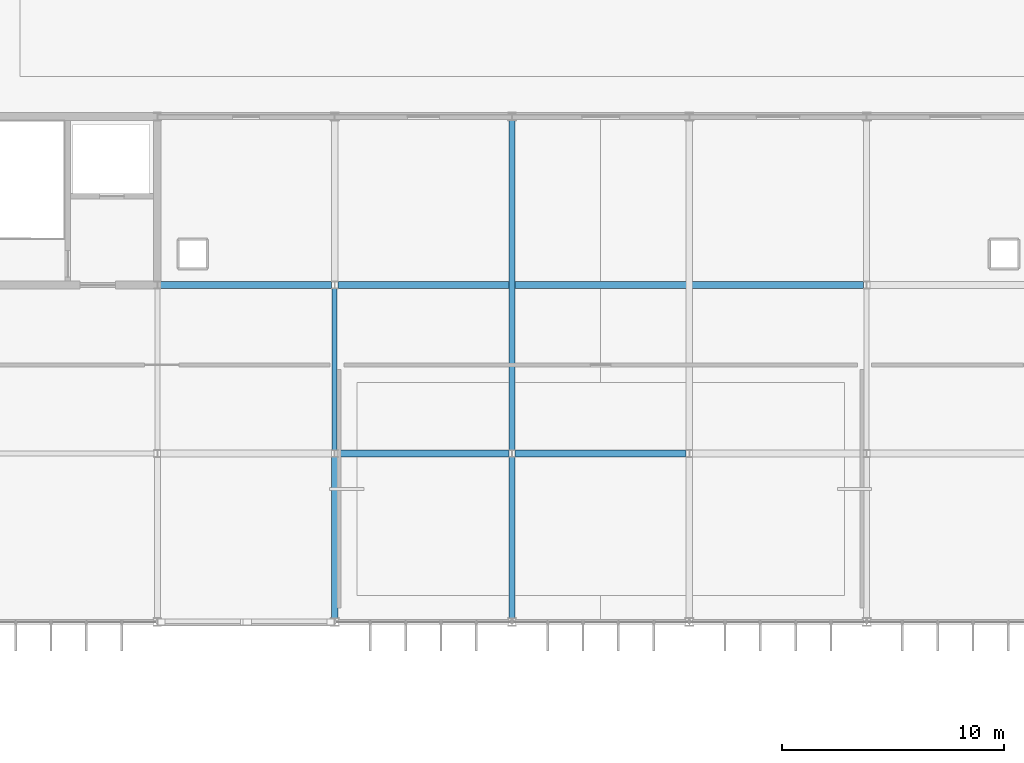
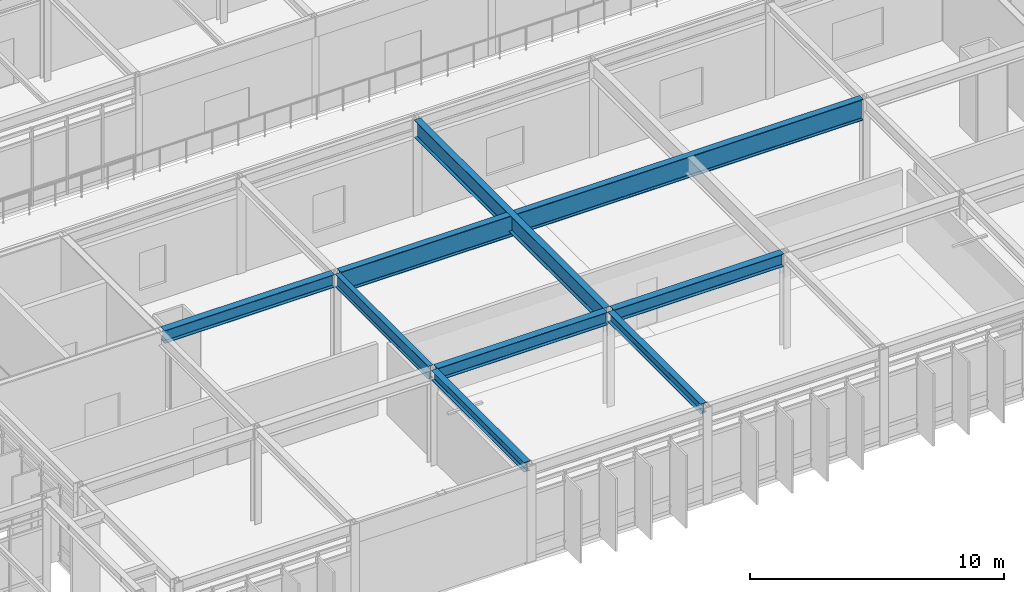
# One storey, part 41 of 100: 8 beams.
"""IFC4 building model written with IfcOpenShell, lengths in metres."""

from ifc_helpers import new_model, si_unit, direction, frame, origin, origin_2d, place, context, subcontext, project, spatial, i_section, extrude, material, material_profile, profile_set, type_object, element, save


model = new_model("IFC4")

# Units and contexts
model_context = context("Model", 3, precision=1e-05, world=origin(), true_north=direction((0.0, 1.0)))
body_context = subcontext(model_context, "Body", "Model", "MODEL_VIEW")
ifc_project = project(units=[si_unit("LENGTHUNIT", "METRE"), si_unit("AREAUNIT", "SQUARE_METRE"), si_unit("VOLUMEUNIT", "CUBIC_METRE"), si_unit("PLANEANGLEUNIT", "RADIAN"), si_unit("MASSUNIT", "GRAM", prefix="KILO")], contexts=[model_context])

# Site, building, storey
site_placement = place(None, origin())
site = spatial("IfcSite", under=ifc_project, at=site_placement, CompositionType="ELEMENT")
building_placement = place(site_placement, origin())
building = spatial("IfcBuilding", under=site, at=building_placement, Name="Zulena Civic Courthouse", CompositionType="ELEMENT")
storey_placement = place(building_placement, frame((0.0, 0.0, 20.39990234375)))
storey = spatial("IfcBuildingStorey", under=building, at=storey_placement, Name="L04", CompositionType="ELEMENT", Elevation=20.39990234375)

# Beams
ifc_material = material(Name="Steel ASTM A992 Grade 50", Category="steel")
ifc_material_profile_1 = material_profile(ifc_material, i_section(OverallWidth=0.324951171875, OverallDepth=0.615966796875, WebThickness=0.013916015625, FlangeThickness=0.021484375, FilletRadius=0.0126953125, at=origin_2d()), Name="W24X117")
ifc_profile_set_1 = profile_set([ifc_material_profile_1], Name="Steel ASTM A992 Grade 50")
beam_type_1 = type_object("IfcBeamType", Name="Girder_W24X117", PredefinedType="BEAM", material=ifc_profile_set_1)
for number, where, z_axis, x_axis, name in (
    (1, (84.14501953125, 22.800048828125, 4.287109375), (1.0, 0.0, 0.0), (0.0, 1.0, 0.0), "beam:X:V4:L04:22.8:84.0_92.0"),
    (2, (92.14501953125, 22.800048828125, 4.287109375), (1.0, 0.0, 0.0), (0.0, 1.0, 0.0), "beam:X:V4:L04:22.8:92.0_100.0"),
    (3, (76.14501953125, 30.39990234375, 4.287109375), (1.0, 0.0, 0.0), (0.0, 1.0, 0.0), "beam:X:V4:L04:30.4:76.0_84.0"),
):
    element("IfcBeam", number, at=place(storey_placement, frame(where, z_axis=z_axis, x_axis=x_axis)), inside=storey, type_object=beam_type_1, Name=name, PredefinedType="BEAM", context=body_context, shape_type="SweptSolid", body=[
        extrude(i_section(OverallWidth=0.324951171875, OverallDepth=0.615966796875, WebThickness=0.013916015625, FlangeThickness=0.021484375, FilletRadius=0.0126953125, at=origin_2d()), origin(), (0.0, 0.0, 1.0), 7.7099609375),
    ])
ifc_material_profile_2 = material_profile(ifc_material, i_section(OverallWidth=0.22998046875, OverallDepth=0.616943359375, WebThickness=0.01318359375, FlangeThickness=0.022216796875, FilletRadius=0.0126953125, at=origin_2d()), Name="W24X94")
ifc_profile_set_2 = profile_set([ifc_material_profile_2], Name="Steel ASTM A992 Grade 50")
beam_type_2 = type_object("IfcBeamType", Name="Girder_W24X94", PredefinedType="BEAM", material=ifc_profile_set_2)
beam_1_placement = place(storey_placement, frame((84.0, 22.945068359375, 4.28662109375), z_axis=(0.0, 1.0, 0.0), x_axis=(-1.0, 0.0, 0.0)))
element("IfcBeam", 4, at=beam_1_placement, inside=storey, type_object=beam_type_2, Name="beam:Y:V4:L04:84.0:22.8_30.4", PredefinedType="BEAM", context=body_context, shape_type="SweptSolid", body=[
    extrude(i_section(OverallWidth=0.22998046875, OverallDepth=0.616943359375, WebThickness=0.01318359375, FlangeThickness=0.022216796875, FilletRadius=0.0126953125, at=origin_2d()), origin(), (0.0, 0.0, 1.0), 7.309814453125),
])
ifc_material_profile_3 = material_profile(ifc_material, i_section(OverallWidth=0.2919921875, OverallDepth=0.841064453125, WebThickness=0.0146484375, FlangeThickness=0.021728515625, FilletRadius=0.017822265625, at=origin_2d()), Name="W33X130")
ifc_profile_set_3 = profile_set([ifc_material_profile_3], Name="Steel ASTM A992 Grade 50")
beam_type_3 = type_object("IfcBeamType", Name="Girder_W33X130", PredefinedType="BEAM", material=ifc_profile_set_3)
beam_2_placement = place(storey_placement, frame((92.0, 22.945068359375, 4.174560546875), z_axis=(0.0, 1.0, 0.0), x_axis=(-1.0, 0.0, 0.0)))
element("IfcBeam", 5, at=beam_2_placement, inside=storey, type_object=beam_type_3, Name="beam:Y:V4:L04:92.0:22.8_38.0", PredefinedType="BEAM", context=body_context, shape_type="SweptSolid", body=[
    extrude(i_section(OverallWidth=0.2919921875, OverallDepth=0.841064453125, WebThickness=0.0146484375, FlangeThickness=0.021728515625, FilletRadius=0.017822265625, at=origin_2d()), origin(), (0.0, 0.0, 1.0), 14.909912109375),
])
ifc_material_profile_4 = material_profile(ifc_material, i_section(OverallWidth=0.300048828125, OverallDepth=1.008056640625, WebThickness=0.0166015625, FlangeThickness=0.027099609375, FilletRadius=0.020263671875, at=origin_2d()), Name="W40X199")
ifc_profile_set_4 = profile_set([ifc_material_profile_4], Name="Steel ASTM A992 Grade 50")
beam_type_4 = type_object("IfcBeamType", Name="Girder_W40X199", PredefinedType="BEAM", material=ifc_profile_set_4)
beam_3_placement = place(storey_placement, frame((84.14501953125, 30.39990234375, 4.091064453125), z_axis=(1.0, 0.0, 0.0), x_axis=(0.0, 1.0, 0.0)))
element("IfcBeam", 6, at=beam_3_placement, inside=storey, type_object=beam_type_4, Name="beam:X:V4:L04:30.4:84.0_108.0", PredefinedType="BEAM", context=body_context, shape_type="SweptSolid", body=[
    extrude(i_section(OverallWidth=0.300048828125, OverallDepth=1.008056640625, WebThickness=0.0166015625, FlangeThickness=0.027099609375, FilletRadius=0.020263671875, at=origin_2d()), origin(), (0.0, 0.0, 1.0), 23.7099609375),
])
ifc_material_profile_5 = material_profile(ifc_material, i_section(OverallWidth=0.280029296875, OverallDepth=0.462890625, WebThickness=0.0107421875, FlangeThickness=0.017333984375, FilletRadius=0.01025390625, at=origin_2d()), Name="W18X76")
ifc_profile_set_5 = profile_set([ifc_material_profile_5], Name="Steel ASTM A992 Grade 50")
beam_type_5 = type_object("IfcBeamType", Name="Spandrel_W18X76", PredefinedType="SPANDREL", material=ifc_profile_set_5)
for number, where, z_axis, x_axis, name in (
    (7, (84.0, 15.344970703125, 4.363525390625), (0.0, 1.0, 0.0), (-1.0, 0.0, 0.0), "beam:Y:V4:L04:84.0:15.2_22.8"),
    (8, (92.0, 15.344970703125, 4.363525390625), (0.0, 1.0, 0.0), (-1.0, 0.0, 0.0), "beam:Y:V4:L04:92.0:15.2_22.8"),
):
    element("IfcBeam", number, at=place(storey_placement, frame(where, z_axis=z_axis, x_axis=x_axis)), inside=storey, type_object=beam_type_5, Name=name, PredefinedType="SPANDREL", context=body_context, shape_type="SweptSolid", body=[
        extrude(i_section(OverallWidth=0.280029296875, OverallDepth=0.462890625, WebThickness=0.0107421875, FlangeThickness=0.017333984375, FilletRadius=0.01025390625, at=origin_2d()), origin(), (0.0, 0.0, 1.0), 7.31005859375),
    ])

save(model, "model.ifc")
